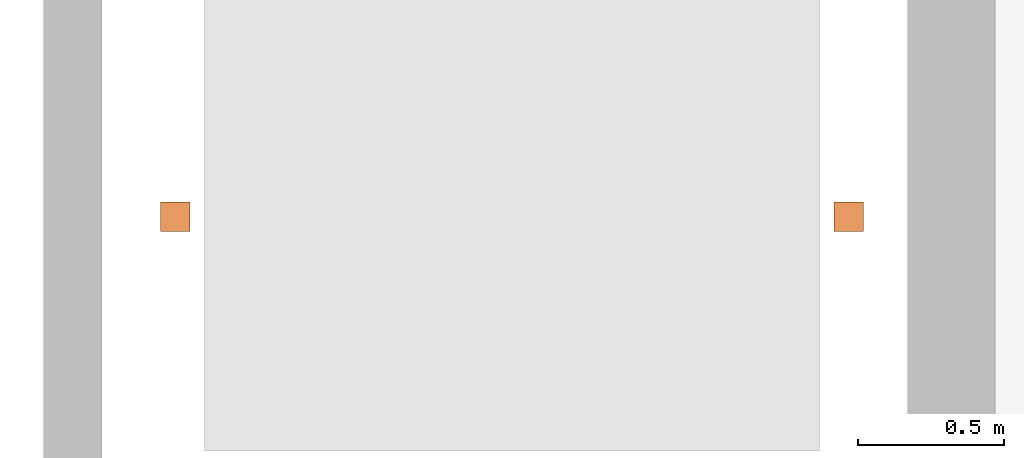
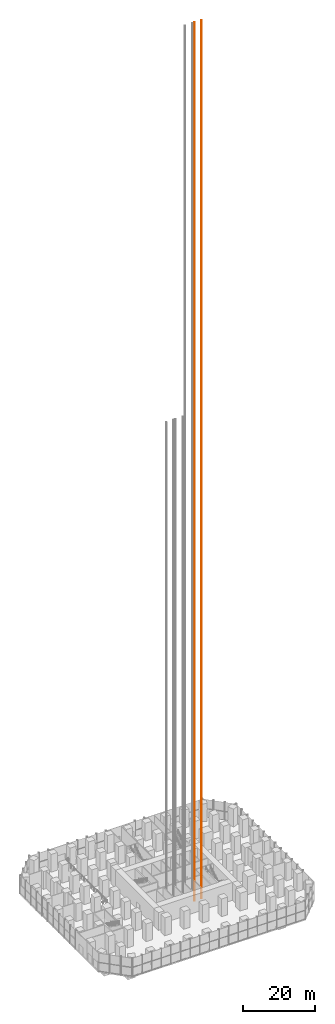
# One storey, part 20 of 21: 1 proxy.
"""IFC4 building model written with IfcOpenShell, lengths in metres."""

from ifc_helpers import new_model, si_unit, direction, frame, origin, origin_2d, place, context, subcontext, project, spatial, rectangle, extrude, material, type_object, element, save


model = new_model("IFC4")

# Units and contexts
model_context = context("Model", 3, precision=1e-05, world=origin(), true_north=direction((0.0, 1.0)))
body_context = subcontext(model_context, "Body", "Model", "MODEL_VIEW")
ifc_project = project(units=[si_unit("LENGTHUNIT", "METRE"), si_unit("AREAUNIT", "SQUARE_METRE"), si_unit("VOLUMEUNIT", "CUBIC_METRE"), si_unit("PLANEANGLEUNIT", "RADIAN"), si_unit("MASSUNIT", "GRAM", prefix="KILO")], contexts=[model_context])

# Site, building, storey
site_placement = place(None, origin())
site = spatial("IfcSite", under=ifc_project, at=site_placement, CompositionType="ELEMENT")
building_placement = place(site_placement, origin())
building = spatial("IfcBuilding", under=site, at=building_placement, Name="Highveld Stack Headquarters", CompositionType="ELEMENT")
storey_placement = place(building_placement, origin())
storey = spatial("IfcBuildingStorey", under=building, at=storey_placement, Name="L00", CompositionType="ELEMENT", Elevation=0.0)

# Proxy
ifc_material = material(Name="Galvanised steel guide rails", Category="steel")
building_element_proxy_type = type_object("IfcBuildingElementProxyType", Name="LIFT GUIDE RAIL FRAME", PredefinedType="USERDEFINED", material=ifc_material)
proxy_placement = place(storey_placement, frame((9.35009765625, -1.0, -1.199951171875), z_axis=(0.0, 0.0, 1.0), x_axis=(1.0, 0.0, 0.0)))
element("IfcBuildingElementProxy", 1, at=proxy_placement, inside=storey, type_object=building_element_proxy_type, Name="Guide rails C2", ObjectType="LIFT GUIDE RAILS", PredefinedType="USERDEFINED", context=body_context, shape_type="SweptSolid", body=[
    extrude(rectangle(XDim=0.10009765625, YDim=0.10009765625, at=origin_2d()), origin(), (0.0, 0.0, 1.0), 296.0),
    extrude(rectangle(XDim=0.10009765625, YDim=0.10009765625, at=origin_2d()), frame((2.2998046875, 0.0, 0.0)), (0.0, 0.0, 1.0), 296.0),
])

save(model, "model.ifc")
